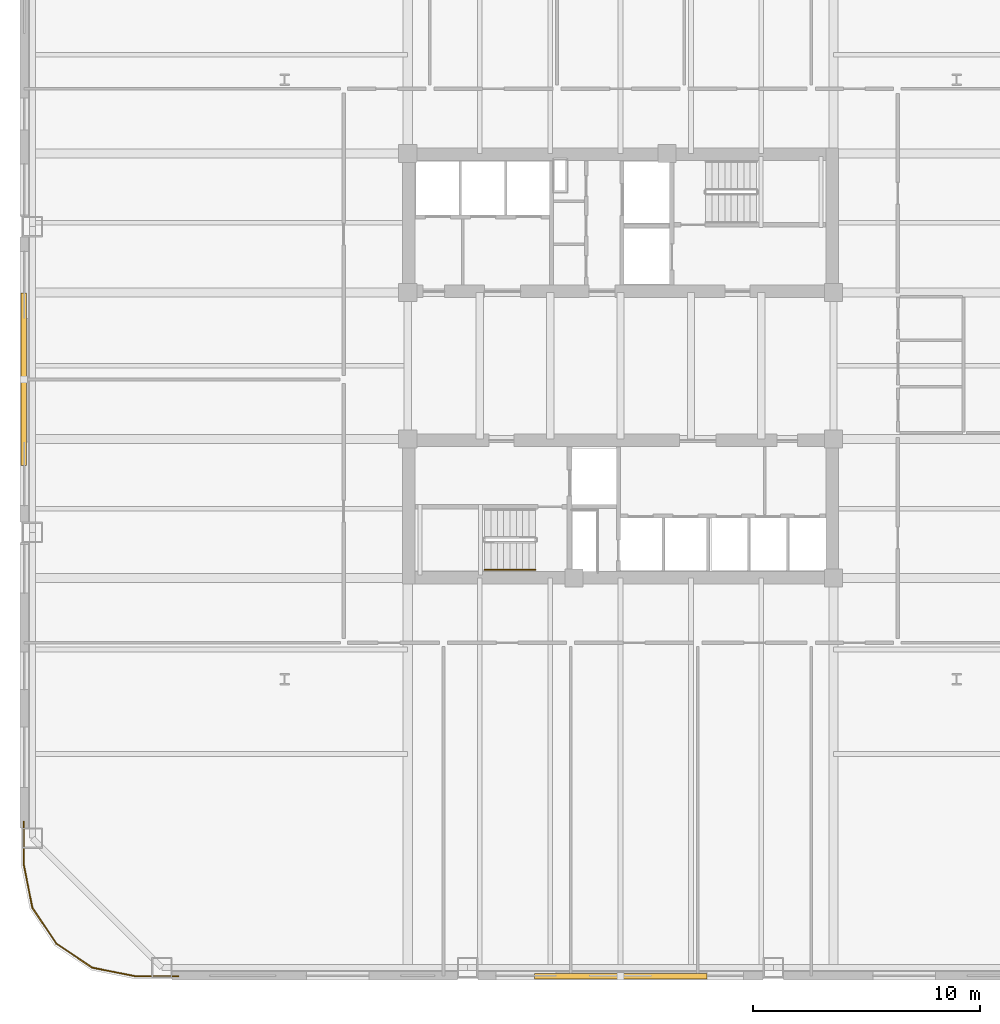
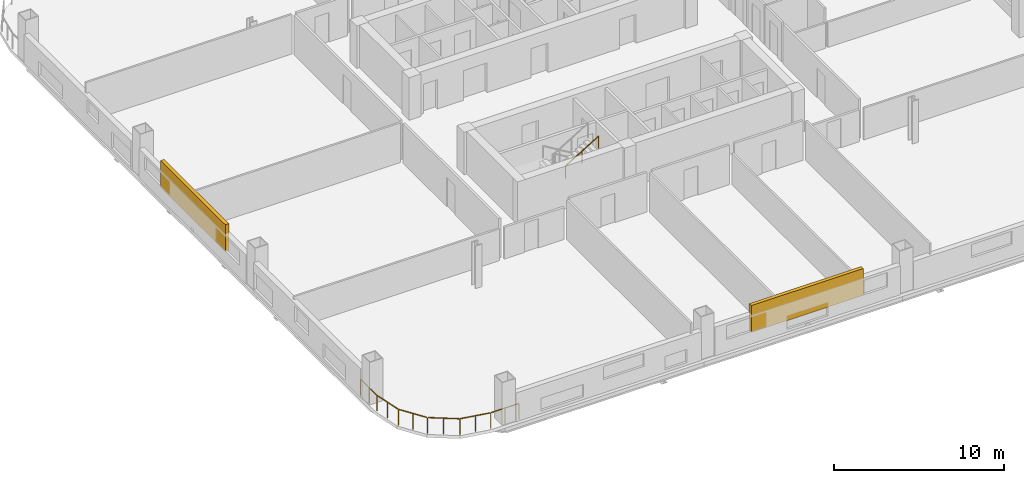
# One storey, part 7 of 12: 2 railings, 2 shading devices.
"""IFC4 building model written with IfcOpenShell, lengths in metres."""

from ifc_helpers import new_model, si_unit, direction, frame, origin, origin_2d, place, context, subcontext, project, spatial, rectangle, extrude, material, type_object, element, save


model = new_model("IFC4")

# Units and contexts
model_context = context("Model", 3, precision=1e-05, world=origin(), true_north=direction((0.0, 1.0)))
body_context = subcontext(model_context, "Body", "Model", "MODEL_VIEW")
ifc_project = project(units=[si_unit("LENGTHUNIT", "METRE"), si_unit("AREAUNIT", "SQUARE_METRE"), si_unit("VOLUMEUNIT", "CUBIC_METRE"), si_unit("PLANEANGLEUNIT", "RADIAN"), si_unit("MASSUNIT", "GRAM", prefix="KILO")], contexts=[model_context])

# Site, building, storey
site_placement = place(None, origin())
site = spatial("IfcSite", under=ifc_project, at=site_placement, CompositionType="ELEMENT")
building_placement = place(site_placement, origin())
building = spatial("IfcBuilding", under=site, at=building_placement, Name="Qhalaya Broadcast Tower", CompositionType="ELEMENT")
storey_placement = place(building_placement, frame((0.0, 0.0, 35.25)))
storey = spatial("IfcBuildingStorey", under=building, at=storey_placement, Name="L09", CompositionType="ELEMENT", Elevation=35.25)

# Railings
ifc_material_1 = material(Name="Powder-Coated Galvanised Steel", Category="steel")
railing_type_1 = type_object("IfcRailingType", Name="Stair Wall Handrail 900", PredefinedType="HANDRAIL", material=ifc_material_1)
railing_1_placement = place(storey_placement, frame((-5.989990234375, -8.389892578125, 1.6943359375)))
element("IfcRailing", 1, at=railing_1_placement, inside=storey, type_object=railing_type_1, Name="L09 ST-2 Stair Handrail 2", PredefinedType="HANDRAIL", context=body_context, shape_type="SweptSolid", body=[
    extrude(rectangle(XDim=0.048095703125, YDim=0.048095703125, at=origin_2d()), frame((0.0, 0.0, 0.8759765625), z_axis=(0.855512035549, 0.0, 0.517782924622), x_axis=(0.0, 1.0, 0.0)), (0.0, 0.0, 1.0), 2.618408203125),
    extrude(rectangle(XDim=0.0419921875, YDim=0.0419921875, at=origin_2d()), origin(), (0.0, 0.0, 1.0), 0.849853515625),
    extrude(rectangle(XDim=0.0419921875, YDim=0.0419921875, at=origin_2d()), frame((1.1201171875, 0.0, 0.677734375)), (0.0, 0.0, 1.0), 0.849853515625),
    extrude(rectangle(XDim=0.0419921875, YDim=0.0419921875, at=origin_2d()), frame((2.239990234375, 0.0, 1.355712890625)), (0.0, 0.0, 1.0), 0.849853515625),
])
railing_type_2 = type_object("IfcRailingType", Name="Terrace, Sky-Pool & Lookout Glass Balustrade 1150", PredefinedType="BALUSTRADE", material=ifc_material_1)
railing_2_placement = place(storey_placement, frame((-19.48193359375, -26.280029296875, 0.0)))
element("IfcRailing", 2, at=railing_2_placement, inside=storey, type_object=railing_type_2, Name="L09 Rounded Corner Perimeter Guard 02", PredefinedType="BALUSTRADE", context=body_context, shape_type="SweptSolid", body=[
    extrude(rectangle(XDim=0.048095703125, YDim=0.048095703125, at=origin_2d()), frame((0.0, 0.0, 1.1259765625), z_axis=(-1.0, 0.0, 0.0), x_axis=(0.0, -1.0, 0.0)), (0.0, 0.0, 1.0), 1.87744140625),
    extrude(rectangle(XDim=0.048095703125, YDim=0.048095703125, at=origin_2d()), frame((-1.9345703125, 0.005615234375, 1.1259765625), z_axis=(-0.980795810058, 0.195037378397, 0.0), x_axis=(-0.195037378397, -0.980795810058, 0.0)), (0.0, 0.0, 1.0), 1.857421875),
    extrude(rectangle(XDim=0.048095703125, YDim=0.048095703125, at=origin_2d()), frame((-3.80859375, 0.3896484375, 1.1259765625), z_axis=(-0.831477548332, 0.555558355728, 0.0), x_axis=(-0.555558355728, -0.831477548332, 0.0)), (0.0, 0.0, 1.0), 1.845458984375),
    extrude(rectangle(XDim=0.048095703125, YDim=0.048095703125, at=origin_2d()), frame((-5.38330078125, 1.454833984375, 1.1259765625), z_axis=(-0.555558355728, 0.831477548332, 0.0), x_axis=(-0.831477548332, -0.555558355728, 0.0)), (0.0, 0.0, 1.0), 1.845458984375),
    extrude(rectangle(XDim=0.048095703125, YDim=0.048095703125, at=origin_2d()), frame((-6.43017578125, 3.041748046875, 1.1259765625), z_axis=(-0.195037378397, 0.980795810058, 0.0), x_axis=(-0.980795810058, -0.195037378397, 0.0)), (0.0, 0.0, 1.0), 1.857421875),
    extrude(rectangle(XDim=0.048095703125, YDim=0.048095703125, at=origin_2d()), frame((-6.798095703125, 4.920654296875, 1.1259765625), z_axis=(0.0, 1.0, 0.0), x_axis=(-1.0, 0.0, 0.0)), (0.0, 0.0, 1.0), 1.87744140625),
    extrude(rectangle(XDim=0.0419921875, YDim=0.0419921875, at=origin_2d()), origin(), (0.0, 0.0, 1.0), 1.099853515625),
    extrude(rectangle(XDim=0.0419921875, YDim=0.0419921875, at=origin_2d()), frame((-0.953125, 0.0, 0.0)), (0.0, 0.0, 1.0), 1.099853515625),
    extrude(rectangle(XDim=0.0419921875, YDim=0.0419921875, at=origin_2d()), frame((-1.90625, 0.0, 0.0)), (0.0, 0.0, 1.0), 1.099853515625),
    extrude(rectangle(XDim=0.0419921875, YDim=0.0419921875, at=origin_2d()), frame((-2.845458984375, 0.186767578125, 0.0)), (0.0, 0.0, 1.0), 1.099853515625),
    extrude(rectangle(XDim=0.0419921875, YDim=0.0419921875, at=origin_2d()), frame((-3.78466796875, 0.37353515625, 0.0)), (0.0, 0.0, 1.0), 1.099853515625),
    extrude(rectangle(XDim=0.0419921875, YDim=0.0419921875, at=origin_2d()), frame((-4.575927734375, 0.90234375, 0.0)), (0.0, 0.0, 1.0), 1.099853515625),
    extrude(rectangle(XDim=0.0419921875, YDim=0.0419921875, at=origin_2d()), frame((-5.3671875, 1.430908203125, 0.0)), (0.0, 0.0, 1.0), 1.099853515625),
    extrude(rectangle(XDim=0.0419921875, YDim=0.0419921875, at=origin_2d()), frame((-5.89599609375, 2.22216796875, 0.0)), (0.0, 0.0, 1.0), 1.099853515625),
    extrude(rectangle(XDim=0.0419921875, YDim=0.0419921875, at=origin_2d()), frame((-6.424560546875, 3.013427734375, 0.0)), (0.0, 0.0, 1.0), 1.099853515625),
    extrude(rectangle(XDim=0.0419921875, YDim=0.0419921875, at=origin_2d()), frame((-6.611328125, 3.95263671875, 0.0)), (0.0, 0.0, 1.0), 1.099853515625),
    extrude(rectangle(XDim=0.0419921875, YDim=0.0419921875, at=origin_2d()), frame((-6.798095703125, 4.891845703125, 0.0)), (0.0, 0.0, 1.0), 1.099853515625),
    extrude(rectangle(XDim=0.0419921875, YDim=0.0419921875, at=origin_2d()), frame((-6.798095703125, 5.844970703125, 0.0)), (0.0, 0.0, 1.0), 1.099853515625),
    extrude(rectangle(XDim=0.0419921875, YDim=0.0419921875, at=origin_2d()), frame((-6.798095703125, 6.798095703125, 0.0)), (0.0, 0.0, 1.0), 1.099853515625),
])

# Shading devices
ifc_material_2 = material(Name="Fired Architectural Terracotta", Category="masonry")
shading_device_type = type_object("IfcShadingDeviceType", Name="Terracotta Baguette Solar Screen Assembly TBS-01", PredefinedType="USERDEFINED", material=ifc_material_2)
for number, where, z_axis, x_axis, name in (
    (3, (0.0, -26.280029296875, 0.79248046875), (0.0, 0.0, 1.0), (1.0, 0.0, 0.0), "L09 Fired Terracotta Baguette Screen S"),
    (4, (-26.280029296875, 0.0, 0.79248046875), (0.0, 0.0, 1.0), (0.0, -1.0, 0.0), "L09 Fired Terracotta Baguette Screen W"),
):
    element("IfcShadingDevice", number, at=place(storey_placement, frame(where, z_axis=z_axis, x_axis=x_axis)), inside=storey, type_object=shading_device_type, Name=name, ObjectType="BAGUETTE", PredefinedType="USERDEFINED", context=body_context, shape_type="SweptSolid", body=[
        extrude(rectangle(XDim=7.60009765625, YDim=0.239990234375, at=origin_2d()), origin(), (0.0, 0.0, 1.0), 1.924072265625),
    ])

save(model, "model.ifc")
